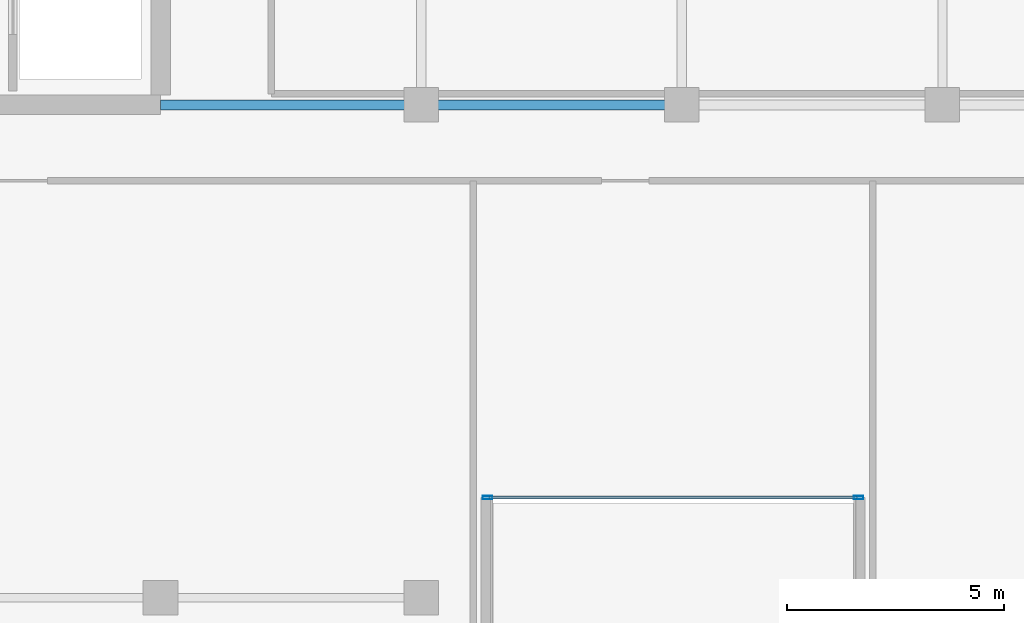
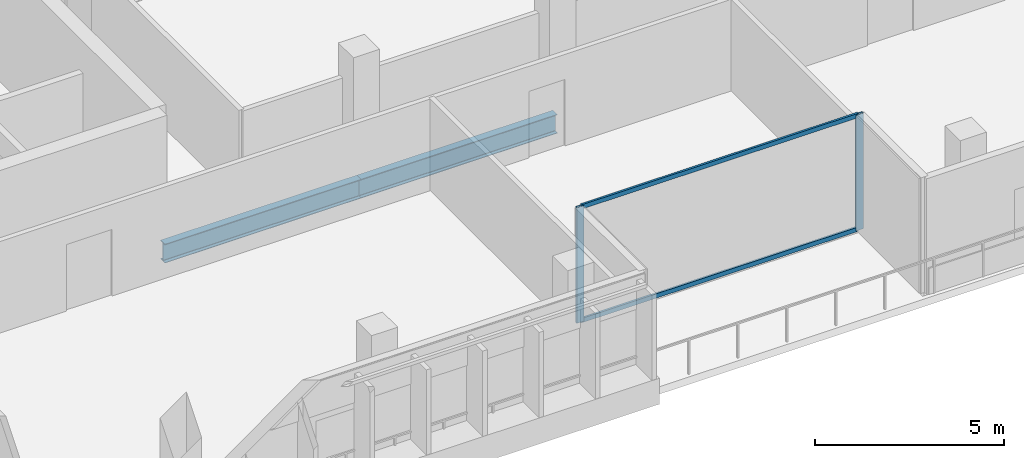
# One storey, part 4 of 26: 4 members, 2 beams, 1 element without a shape of its own.
"""IFC4 building model written with IfcOpenShell, lengths in metres."""

from ifc_helpers import new_model, si_unit, direction, frame, origin, origin_2d, place, context, subcontext, project, spatial, hollow_rectangle, i_section, extrude, material, layer, layer_set, material_profile, profile_set, type_object, element, aggregate, save


model = new_model("IFC4")

# Units and contexts
model_context = context("Model", 3, precision=1e-05, world=origin(), true_north=direction((0.0, 1.0)))
body_context = subcontext(model_context, "Body", "Model", "MODEL_VIEW")
ifc_project = project(units=[si_unit("LENGTHUNIT", "METRE"), si_unit("AREAUNIT", "SQUARE_METRE"), si_unit("VOLUMEUNIT", "CUBIC_METRE"), si_unit("PLANEANGLEUNIT", "RADIAN"), si_unit("MASSUNIT", "GRAM", prefix="KILO")], contexts=[model_context])

# Site, building, storey
site_placement = place(None, origin())
site = spatial("IfcSite", under=ifc_project, at=site_placement, CompositionType="ELEMENT")
building_placement = place(site_placement, origin())
building = spatial("IfcBuilding", under=site, at=building_placement, Name="Tanjung Sevakor Pilgrim Tower", CompositionType="ELEMENT")
storey_placement = place(building_placement, frame((0.0, 0.0, 177.8701171875)))
storey = spatial("IfcBuildingStorey", under=building, at=storey_placement, Name="L49", CompositionType="ELEMENT", Elevation=177.8701171875)

# Beams
ifc_material_1 = material(Name="Steel S355J2", Category="steel")
ifc_material_profile_1 = material_profile(ifc_material_1, i_section(OverallWidth=0.22900390625, OverallDepth=0.6123046875, WebThickness=0.011962890625, FlangeThickness=0.01953125, FilletRadius=0.0126953125, at=origin_2d()))
ifc_profile_set_1 = profile_set([ifc_material_profile_1], Name="Steel S355J2")
beam_type = type_object("IfcBeamType", Name="BM-B-G4-UB_610x229x125", PredefinedType="BEAM", material=ifc_profile_set_1)
for number, where, z_axis, x_axis, name in (
    (1, (36.0, 24.60009765625, -0.586181640625), (1.0, 0.0, 0.0), (0.0, 1.0, 0.0), "L49 Primary Floor Girder MAIN Y246-02"),
    (2, (42.0, 24.60009765625, -0.586181640625), (1.0, 0.0, 0.0), (0.0, 1.0, 0.0), "L49 Primary Floor Girder MAIN Y246-03"),
):
    element("IfcBeam", number, at=place(storey_placement, frame(where, z_axis=z_axis, x_axis=x_axis)), inside=storey, type_object=beam_type, Name=name, PredefinedType="BEAM", context=body_context, shape_type="SweptSolid", body=[
        extrude(i_section(OverallWidth=0.22900390625, OverallDepth=0.6123046875, WebThickness=0.011962890625, FlangeThickness=0.01953125, FilletRadius=0.0126953125, at=origin_2d()), origin(), (0.0, 0.0, 1.0), 6.0),
    ])

# Curtain wall, members
ifc_material_2 = material(Name="Aluminium 6063-T6 and Low-E Glass", Category="aluminium")
ifc_layer = layer(ifc_material_2, 0.179931640625)
ifc_layer_set = layer_set([ifc_layer], Name="CW-SYS-CLEFT")
curtain_wall_type = type_object("IfcCurtainWallType", Name="CW-SYS-CLEFT", PredefinedType="NOTDEFINED", material=ifc_layer_set)
curtain_wall_placement = place(storey_placement, origin())
curtain_wall = element("IfcCurtainWall", 3, at=curtain_wall_placement, inside=storey, type_object=curtain_wall_type, Name="L49 Curtain Wall CW-CLF-L49-2", PredefinedType="NOTDEFINED")
ifc_material_3 = material(Name="Aluminium 6063-T6", Category="aluminium")
ifc_material_profile_2 = material_profile(ifc_material_3, hollow_rectangle(XDim=0.074951171875, YDim=0.219970703125, WallThickness=0.0048828125, at=origin_2d()))
ifc_profile_set_2 = profile_set([ifc_material_profile_2], Name="Aluminium 6063-T6")
member_type_1 = type_object("IfcMemberType", Name="TYPE-CWM-2", PredefinedType="MULLION", material=ifc_profile_set_2)
member_1_placement = place(storey_placement, frame((43.527587890625, 15.56005859375, 0.0), z_axis=(0.0, 0.0, 1.0), x_axis=(0.0, 1.0, 0.0)))
member_1 = element("IfcMember", 4, at=member_1_placement, type_object=member_type_1, Name="CW-CLF mullion 1", PredefinedType="MULLION", context=body_context, shape_type="SweptSolid", body=[
    extrude(hollow_rectangle(XDim=0.074951171875, YDim=0.219970703125, WallThickness=0.0048828125, at=origin_2d()), origin(), (0.0, 0.0, 1.0), 3.739990234375),
])
member_2_placement = place(storey_placement, frame((52.072509765625, 15.56005859375, 0.0), z_axis=(0.0, 0.0, 1.0), x_axis=(0.0, 1.0, 0.0)))
member_2 = element("IfcMember", 5, at=member_2_placement, type_object=member_type_1, Name="CW-CLF mullion 2", PredefinedType="MULLION", context=body_context, shape_type="SweptSolid", body=[
    extrude(hollow_rectangle(XDim=0.074951171875, YDim=0.219970703125, WallThickness=0.0048828125, at=origin_2d()), origin(), (0.0, 0.0, 1.0), 3.739990234375),
])
ifc_material_4 = material(Name="Aluminium 6063-T6", Category="aluminium")
ifc_material_profile_3 = material_profile(ifc_material_4, hollow_rectangle(XDim=0.06494140625, YDim=0.139892578125, WallThickness=0.00390625, at=origin_2d()))
ifc_profile_set_3 = profile_set([ifc_material_profile_3], Name="Aluminium 6063-T6")
member_type_2 = type_object("IfcMemberType", Name="TYPE-CWT-1", PredefinedType="USERDEFINED", material=ifc_profile_set_3)
member_3_placement = place(storey_placement, frame((43.56494140625, 15.56005859375, 0.032470703125), z_axis=(1.0, 0.0, 0.0), x_axis=(0.0, 1.0, 0.0)))
member_3 = element("IfcMember", 6, at=member_3_placement, type_object=member_type_2, Name="CW-CLF transom 1.1", ObjectType="TRANSOM", PredefinedType="USERDEFINED", context=body_context, shape_type="SweptSolid", body=[
    extrude(hollow_rectangle(XDim=0.06494140625, YDim=0.139892578125, WallThickness=0.00390625, at=origin_2d()), origin(), (0.0, 0.0, 1.0), 8.469970703125),
])
member_4_placement = place(storey_placement, frame((43.56494140625, 15.56005859375, 3.707275390625), z_axis=(1.0, 0.0, 0.0), x_axis=(0.0, 1.0, 0.0)))
member_4 = element("IfcMember", 7, at=member_4_placement, type_object=member_type_2, Name="CW-CLF transom 1.2", ObjectType="TRANSOM", PredefinedType="USERDEFINED", context=body_context, shape_type="SweptSolid", body=[
    extrude(hollow_rectangle(XDim=0.06494140625, YDim=0.139892578125, WallThickness=0.00390625, at=origin_2d()), origin(), (0.0, 0.0, 1.0), 8.469970703125),
])
aggregate(curtain_wall, [member_1, member_2, member_3, member_4])

save(model, "model.ifc")
